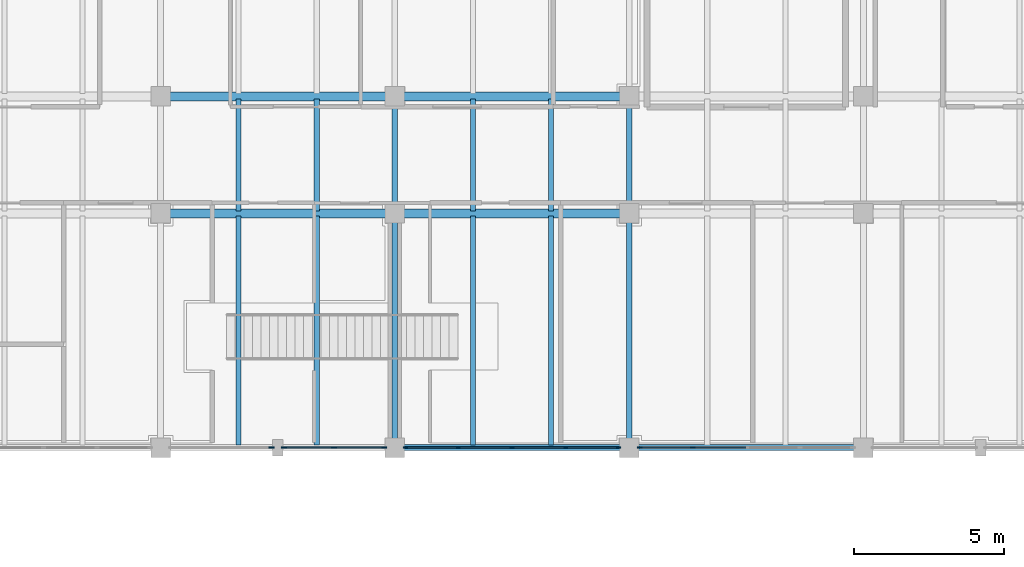
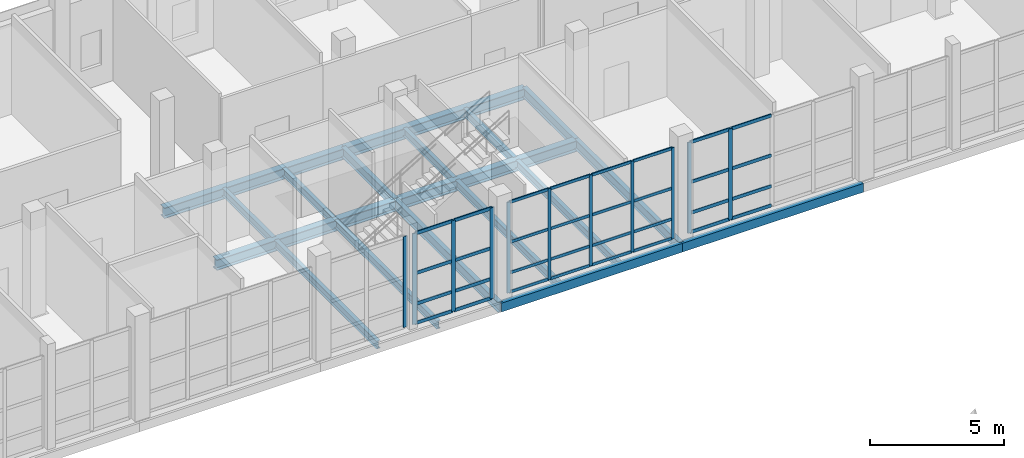
# One storey, part 56 of 131: 43 members, 18 beams, 4 elements without a shape of their own.
"""IFC4 building model written with IfcOpenShell, lengths in metres."""

from ifc_helpers import new_model, si_unit, direction, frame, origin, origin_2d, place, context, subcontext, project, spatial, rectangle, hollow_rectangle, i_section, extrude, material, layer, layer_set, material_profile, profile_set, type_object, element, aggregate, save


model = new_model("IFC4")

# Units and contexts
model_context = context("Model", 3, precision=1e-05, world=origin(), true_north=direction((0.0, 1.0)))
body_context = subcontext(model_context, "Body", "Model", "MODEL_VIEW")
ifc_project = project(units=[si_unit("LENGTHUNIT", "METRE"), si_unit("AREAUNIT", "SQUARE_METRE"), si_unit("VOLUMEUNIT", "CUBIC_METRE"), si_unit("PLANEANGLEUNIT", "RADIAN"), si_unit("MASSUNIT", "GRAM", prefix="KILO")], contexts=[model_context])

# Site, building, storey
site_placement = place(None, origin())
site = spatial("IfcSite", under=ifc_project, at=site_placement, CompositionType="ELEMENT")
building_placement = place(site_placement, origin())
building = spatial("IfcBuilding", under=site, at=building_placement, Name="Celorna Specialist Clinic", CompositionType="ELEMENT")
storey_placement = place(building_placement, origin())
storey = spatial("IfcBuildingStorey", under=building, at=storey_placement, Name="L00", CompositionType="ELEMENT", Elevation=0.0)

# Beams
ifc_material_1 = material(Name="Steel S355", Category="steel")
ifc_material_profile_1 = material_profile(ifc_material_1, i_section(OverallWidth=0.18994140625, OverallDepth=0.449951171875, WebThickness=0.009521484375, FlangeThickness=0.0146484375, at=origin_2d()), Name="IPE 450")
ifc_profile_set_1 = profile_set([ifc_material_profile_1], Name="Steel S355")
beam_type_1 = type_object("IfcBeamType", Name="BM-09", PredefinedType="BEAM", material=ifc_profile_set_1)
beam_1_placement = place(storey_placement, frame((101.39990234375, 96.5, -0.52490234375), z_axis=(0.0, 1.0, 0.0), x_axis=(-1.0, 0.0, 0.0)))
element("IfcBeam", 1, at=beam_1_placement, inside=storey, type_object=beam_type_1, Name="Transverse girder BM-09 #751", PredefinedType="BEAM", context=body_context, shape_type="SweptSolid", body=[
    extrude(i_section(OverallWidth=0.18994140625, OverallDepth=0.449951171875, WebThickness=0.009521484375, FlangeThickness=0.0146484375, at=origin_2d()), origin(), (0.0, 0.0, 1.0), 7.800048828125),
])
beam_2_placement = place(storey_placement, frame((101.39990234375, 104.300048828125, -0.52490234375), z_axis=(0.0, 1.0, 0.0), x_axis=(-1.0, 0.0, 0.0)))
element("IfcBeam", 2, at=beam_2_placement, inside=storey, type_object=beam_type_1, Name="Transverse girder BM-09 #752", PredefinedType="BEAM", context=body_context, shape_type="SweptSolid", body=[
    extrude(i_section(OverallWidth=0.18994140625, OverallDepth=0.449951171875, WebThickness=0.009521484375, FlangeThickness=0.0146484375, at=origin_2d()), origin(), (0.0, 0.0, 1.0), 3.89990234375),
])
beam_3_placement = place(storey_placement, frame((109.199951171875, 96.5, -0.52490234375), z_axis=(0.0, 1.0, 0.0), x_axis=(-1.0, 0.0, 0.0)))
element("IfcBeam", 3, at=beam_3_placement, inside=storey, type_object=beam_type_1, Name="Transverse girder BM-09 #754", PredefinedType="BEAM", context=body_context, shape_type="SweptSolid", body=[
    extrude(i_section(OverallWidth=0.18994140625, OverallDepth=0.449951171875, WebThickness=0.009521484375, FlangeThickness=0.0146484375, at=origin_2d()), origin(), (0.0, 0.0, 1.0), 7.800048828125),
])
beam_4_placement = place(storey_placement, frame((109.199951171875, 104.300048828125, -0.52490234375), z_axis=(0.0, 1.0, 0.0), x_axis=(-1.0, 0.0, 0.0)))
element("IfcBeam", 4, at=beam_4_placement, inside=storey, type_object=beam_type_1, Name="Transverse girder BM-09 #755", PredefinedType="BEAM", context=body_context, shape_type="SweptSolid", body=[
    extrude(i_section(OverallWidth=0.18994140625, OverallDepth=0.449951171875, WebThickness=0.009521484375, FlangeThickness=0.0146484375, at=origin_2d()), origin(), (0.0, 0.0, 1.0), 3.89990234375),
])
ifc_material_profile_2 = material_profile(ifc_material_1, i_section(OverallWidth=0.169921875, OverallDepth=0.360107421875, WebThickness=0.008056640625, FlangeThickness=0.0126953125, at=origin_2d()), Name="IPE 360")
ifc_profile_set_2 = profile_set([ifc_material_profile_2], Name="Steel S355")
beam_type_2 = type_object("IfcBeamType", Name="BM-11", PredefinedType="JOIST", material=ifc_profile_set_2)
for number, where, z_axis, x_axis, name in (
    (5, (96.199951171875, 96.587890625, -0.47998046875), (0.0, 1.0, 0.0), (-1.0, 0.0, 0.0), "Secondary floor joist BM-11 #813"),
    (6, (98.800048828125, 96.587890625, -0.47998046875), (0.0, 1.0, 0.0), (-1.0, 0.0, 0.0), "Secondary floor joist BM-11 #814"),
):
    element("IfcBeam", number, at=place(storey_placement, frame(where, z_axis=z_axis, x_axis=x_axis)), inside=storey, type_object=beam_type_2, Name=name, PredefinedType="JOIST", context=body_context, shape_type="SweptSolid", body=[
        extrude(i_section(OverallWidth=0.169921875, OverallDepth=0.360107421875, WebThickness=0.008056640625, FlangeThickness=0.0126953125, at=origin_2d()), origin(), (0.0, 0.0, 1.0), 7.6240234375),
    ])
for number, where, z_axis, x_axis, name in (
    (7, (96.199951171875, 104.387939453125, -0.47998046875), (0.0, 1.0, 0.0), (-1.0, 0.0, 0.0), "Secondary floor joist BM-11 #815"),
    (8, (98.800048828125, 104.387939453125, -0.47998046875), (0.0, 1.0, 0.0), (-1.0, 0.0, 0.0), "Secondary floor joist BM-11 #816"),
):
    element("IfcBeam", number, at=place(storey_placement, frame(where, z_axis=z_axis, x_axis=x_axis)), inside=storey, type_object=beam_type_2, Name=name, PredefinedType="JOIST", context=body_context, shape_type="SweptSolid", body=[
        extrude(i_section(OverallWidth=0.169921875, OverallDepth=0.360107421875, WebThickness=0.008056640625, FlangeThickness=0.0126953125, at=origin_2d()), origin(), (0.0, 0.0, 1.0), 3.72412109375),
    ])
for number, where, z_axis, x_axis, name in (
    (9, (104.0, 96.587890625, -0.47998046875), (0.0, 1.0, 0.0), (-1.0, 0.0, 0.0), "Secondary floor joist BM-11 #819"),
    (10, (106.60009765625, 96.587890625, -0.47998046875), (0.0, 1.0, 0.0), (-1.0, 0.0, 0.0), "Secondary floor joist BM-11 #820"),
):
    element("IfcBeam", number, at=place(storey_placement, frame(where, z_axis=z_axis, x_axis=x_axis)), inside=storey, type_object=beam_type_2, Name=name, PredefinedType="JOIST", context=body_context, shape_type="SweptSolid", body=[
        extrude(i_section(OverallWidth=0.169921875, OverallDepth=0.360107421875, WebThickness=0.008056640625, FlangeThickness=0.0126953125, at=origin_2d()), origin(), (0.0, 0.0, 1.0), 7.6240234375),
    ])
for number, where, z_axis, x_axis, name in (
    (11, (104.0, 104.387939453125, -0.47998046875), (0.0, 1.0, 0.0), (-1.0, 0.0, 0.0), "Secondary floor joist BM-11 #821"),
    (12, (106.60009765625, 104.387939453125, -0.47998046875), (0.0, 1.0, 0.0), (-1.0, 0.0, 0.0), "Secondary floor joist BM-11 #822"),
):
    element("IfcBeam", number, at=place(storey_placement, frame(where, z_axis=z_axis, x_axis=x_axis)), inside=storey, type_object=beam_type_2, Name=name, PredefinedType="JOIST", context=body_context, shape_type="SweptSolid", body=[
        extrude(i_section(OverallWidth=0.169921875, OverallDepth=0.360107421875, WebThickness=0.008056640625, FlangeThickness=0.0126953125, at=origin_2d()), origin(), (0.0, 0.0, 1.0), 3.72412109375),
    ])
ifc_material_profile_3 = material_profile(ifc_material_1, hollow_rectangle(XDim=0.199951171875, YDim=0.39990234375, WallThickness=0.011962890625, at=origin_2d()), Name="RHS 200x400x12")
ifc_profile_set_3 = profile_set([ifc_material_profile_3], Name="Steel S355")
beam_type_3 = type_object("IfcBeamType", Name="BM-15", PredefinedType="SPANDREL", material=ifc_profile_set_3)
for number, where, z_axis, x_axis, name in (
    (13, (101.39990234375, 96.5, -0.5), (1.0, 0.0, 0.0), (0.0, 1.0, 0.0), "Spandrel beam BM-15 #673"),
    (14, (109.199951171875, 96.5, -0.5), (1.0, 0.0, 0.0), (0.0, 1.0, 0.0), "Spandrel beam BM-15 #674"),
):
    element("IfcBeam", number, at=place(storey_placement, frame(where, z_axis=z_axis, x_axis=x_axis)), inside=storey, type_object=beam_type_3, Name=name, PredefinedType="SPANDREL", context=body_context, shape_type="SweptSolid", body=[
        extrude(hollow_rectangle(XDim=0.199951171875, YDim=0.39990234375, WallThickness=0.011962890625, at=origin_2d()), origin(), (0.0, 0.0, 1.0), 7.800048828125),
    ])
ifc_material_profile_4 = material_profile(ifc_material_1, i_section(OverallWidth=0.300048828125, OverallDepth=0.489990234375, WebThickness=0.011962890625, FlangeThickness=0.02294921875, at=origin_2d()), Name="HE 500 A")
ifc_profile_set_4 = profile_set([ifc_material_profile_4], Name="Steel S355")
beam_type_4 = type_object("IfcBeamType", Name="BM-22", PredefinedType="BEAM", material=ifc_profile_set_4)
beam_5_placement = place(storey_placement, frame((93.60009765625, 104.300048828125, -0.544921875), z_axis=(1.0, 0.0, 0.0), x_axis=(0.0, 1.0, 0.0)))
element("IfcBeam", 15, at=beam_5_placement, inside=storey, type_object=beam_type_4, Name="Primary girder BM-22 #688", PredefinedType="BEAM", context=body_context, shape_type="SweptSolid", body=[
    extrude(i_section(OverallWidth=0.300048828125, OverallDepth=0.489990234375, WebThickness=0.011962890625, FlangeThickness=0.02294921875, at=origin_2d()), origin(), (0.0, 0.0, 1.0), 7.7998046875),
])
beam_6_placement = place(storey_placement, frame((101.39990234375, 104.300048828125, -0.544921875), z_axis=(1.0, 0.0, 0.0), x_axis=(0.0, 1.0, 0.0)))
element("IfcBeam", 16, at=beam_6_placement, inside=storey, type_object=beam_type_4, Name="Primary girder BM-22 #689", PredefinedType="BEAM", context=body_context, shape_type="SweptSolid", body=[
    extrude(i_section(OverallWidth=0.300048828125, OverallDepth=0.489990234375, WebThickness=0.011962890625, FlangeThickness=0.02294921875, at=origin_2d()), origin(), (0.0, 0.0, 1.0), 7.800048828125),
])
beam_7_placement = place(storey_placement, frame((93.60009765625, 108.199951171875, -0.544921875), z_axis=(1.0, 0.0, 0.0), x_axis=(0.0, 1.0, 0.0)))
element("IfcBeam", 17, at=beam_7_placement, inside=storey, type_object=beam_type_4, Name="Primary girder BM-22 #704", PredefinedType="BEAM", context=body_context, shape_type="SweptSolid", body=[
    extrude(i_section(OverallWidth=0.300048828125, OverallDepth=0.489990234375, WebThickness=0.011962890625, FlangeThickness=0.02294921875, at=origin_2d()), origin(), (0.0, 0.0, 1.0), 7.7998046875),
])
beam_8_placement = place(storey_placement, frame((101.39990234375, 108.199951171875, -0.544921875), z_axis=(1.0, 0.0, 0.0), x_axis=(0.0, 1.0, 0.0)))
element("IfcBeam", 18, at=beam_8_placement, inside=storey, type_object=beam_type_4, Name="Primary girder BM-22 #705", PredefinedType="BEAM", context=body_context, shape_type="SweptSolid", body=[
    extrude(i_section(OverallWidth=0.300048828125, OverallDepth=0.489990234375, WebThickness=0.011962890625, FlangeThickness=0.02294921875, at=origin_2d()), origin(), (0.0, 0.0, 1.0), 7.800048828125),
])

# Curtain wall, members
ifc_material_2 = material(Name="Thermally broken aluminium and solar-control glass curtain wall", Category="aluminium")
ifc_layer_1 = layer(ifc_material_2, 0.159912109375, Name="Thermally broken aluminium and solar-control glass curtain wall")
ifc_layer_set_1 = layer_set([ifc_layer_1], Name="Thermally broken aluminium and solar-control glass curtain wall")
curtain_wall_type_1 = type_object("IfcCurtainWallType", Name="CW-48", PredefinedType="NOTDEFINED", material=ifc_layer_set_1)
curtain_wall_1_placement = place(storey_placement, origin())
curtain_wall_1 = element("IfcCurtainWall", 19, at=curtain_wall_1_placement, inside=storey, type_object=curtain_wall_type_1, Name="Curtain wall CW-48 #96", PredefinedType="NOTDEFINED")
ifc_material_3 = material(Name="Anodized aluminium mullion", Category="aluminium")
ifc_material_profile_5 = material_profile(ifc_material_3, rectangle(XDim=0.050048828125, YDim=0.159912109375, at=origin_2d()), Name="ALU MULLION 50x160")
ifc_profile_set_5 = profile_set([ifc_material_profile_5], Name="Anodized aluminium mullion")
member_type_1 = type_object("IfcMemberType", Name="ML-01", PredefinedType="MULLION", material=ifc_profile_set_5)
member_1_placement = place(storey_placement, frame((111.314453125, 96.5, 0.0), z_axis=(0.0, 0.0, 1.0), x_axis=(0.0, -1.0, 0.0)))
member_1 = element("IfcMember", 20, at=member_1_placement, type_object=member_type_1, Name="CW-48 mullion 4", PredefinedType="MULLION", context=body_context, shape_type="SweptSolid", body=[
    extrude(rectangle(XDim=0.050048828125, YDim=0.159912109375, at=origin_2d()), origin(), (0.0, 0.0, 1.0), 4.139892578125),
])
member_2_placement = place(storey_placement, frame((109.553955078125, 96.5, 0.0), z_axis=(0.0, 0.0, 1.0), x_axis=(0.0, -1.0, 0.0)))
member_2 = element("IfcMember", 21, at=member_2_placement, type_object=member_type_1, Name="CW-48 mullion 5", PredefinedType="MULLION", context=body_context, shape_type="SweptSolid", body=[
    extrude(rectangle(XDim=0.050048828125, YDim=0.159912109375, at=origin_2d()), origin(), (0.0, 0.0, 1.0), 4.139892578125),
])

ifc_layer_2 = layer(ifc_material_2, 0.159912109375, Name="Thermally broken aluminium and solar-control glass curtain wall")
ifc_layer_set_2 = layer_set([ifc_layer_2], Name="Thermally broken aluminium and solar-control glass curtain wall")
curtain_wall_type_2 = type_object("IfcCurtainWallType", Name="CW-46", PredefinedType="NOTDEFINED", material=ifc_layer_set_2)
curtain_wall_2_placement = place(storey_placement, origin())
curtain_wall_2 = element("IfcCurtainWall", 22, at=curtain_wall_2_placement, inside=storey, type_object=curtain_wall_type_2, Name="Curtain wall CW-46 #93", PredefinedType="NOTDEFINED")
ifc_material_profile_6 = material_profile(ifc_material_3, rectangle(XDim=0.050048828125, YDim=0.179931640625, at=origin_2d()), Name="ALU MULLION 50x180")
ifc_profile_set_6 = profile_set([ifc_material_profile_6], Name="Anodized aluminium mullion")
member_type_2 = type_object("IfcMemberType", Name="ML-02", PredefinedType="MULLION", material=ifc_profile_set_6)
member_3_placement = place(storey_placement, frame((101.0458984375, 96.5, 0.0), z_axis=(0.0, 0.0, 1.0), x_axis=(0.0, -1.0, 0.0)))
member_3 = element("IfcMember", 23, at=member_3_placement, type_object=member_type_2, Name="CW-46 mullion 1", PredefinedType="MULLION", context=body_context, shape_type="SweptSolid", body=[
    extrude(rectangle(XDim=0.050048828125, YDim=0.179931640625, at=origin_2d()), origin(), (0.0, 0.0, 1.0), 4.139892578125),
])
member_4_placement = place(storey_placement, frame((99.375, 96.5, 0.0), z_axis=(0.0, 0.0, 1.0), x_axis=(0.0, -1.0, 0.0)))
member_4 = element("IfcMember", 24, at=member_4_placement, type_object=member_type_2, Name="CW-46 mullion 2", PredefinedType="MULLION", context=body_context, shape_type="SweptSolid", body=[
    extrude(rectangle(XDim=0.050048828125, YDim=0.179931640625, at=origin_2d()), origin(), (0.0, 0.0, 1.0), 4.139892578125),
])
member_5_placement = place(storey_placement, frame((97.7041015625, 96.5, 0.0), z_axis=(0.0, 0.0, 1.0), x_axis=(0.0, -1.0, 0.0)))
member_5 = element("IfcMember", 25, at=member_5_placement, type_object=member_type_2, Name="CW-46 mullion 3", PredefinedType="MULLION", context=body_context, shape_type="SweptSolid", body=[
    extrude(rectangle(XDim=0.050048828125, YDim=0.179931640625, at=origin_2d()), origin(), (0.0, 0.0, 1.0), 4.139892578125),
])

# Curtain wall, member
curtain_wall_3_placement = place(storey_placement, origin())
curtain_wall_3 = element("IfcCurtainWall", 26, at=curtain_wall_3_placement, inside=storey, type_object=curtain_wall_type_2, Name="Curtain wall CW-46 #94", PredefinedType="NOTDEFINED")
member_6_placement = place(storey_placement, frame((97.2958984375, 96.5, 0.0), z_axis=(0.0, 0.0, 1.0), x_axis=(0.0, -1.0, 0.0)))
member_6 = element("IfcMember", 27, at=member_6_placement, type_object=member_type_2, Name="CW-46 mullion 1", PredefinedType="MULLION", context=body_context, shape_type="SweptSolid", body=[
    extrude(rectangle(XDim=0.050048828125, YDim=0.179931640625, at=origin_2d()), origin(), (0.0, 0.0, 1.0), 4.139892578125),
])
aggregate(curtain_wall_3, [member_6])

# Curtain wall, members
ifc_layer_3 = layer(ifc_material_2, 0.159912109375, Name="Thermally broken aluminium and solar-control glass curtain wall")
ifc_layer_set_3 = layer_set([ifc_layer_3], Name="Thermally broken aluminium and solar-control glass curtain wall")
curtain_wall_type_3 = type_object("IfcCurtainWallType", Name="CW-47", PredefinedType="NOTDEFINED", material=ifc_layer_set_3)
curtain_wall_4_placement = place(storey_placement, origin())
curtain_wall_4 = element("IfcCurtainWall", 28, at=curtain_wall_4_placement, inside=storey, type_object=curtain_wall_type_3, Name="Curtain wall CW-47 #95", PredefinedType="NOTDEFINED")
ifc_material_profile_7 = material_profile(ifc_material_3, rectangle(XDim=0.050048828125, YDim=0.139892578125, at=origin_2d()), Name="ALU MULLION 50x140")
ifc_profile_set_7 = profile_set([ifc_material_profile_7], Name="Anodized aluminium mullion")
member_type_3 = type_object("IfcMemberType", Name="ML-03", PredefinedType="MULLION", material=ifc_profile_set_7)
member_7_placement = place(storey_placement, frame((108.845947265625, 96.5, 0.0), z_axis=(0.0, 0.0, 1.0), x_axis=(0.0, -1.0, 0.0)))
member_7 = element("IfcMember", 29, at=member_7_placement, type_object=member_type_3, Name="CW-47 mullion 1", PredefinedType="MULLION", context=body_context, shape_type="SweptSolid", body=[
    extrude(rectangle(XDim=0.050048828125, YDim=0.139892578125, at=origin_2d()), origin(), (0.0, 0.0, 1.0), 4.139892578125),
])
member_8_placement = place(storey_placement, frame((107.08544921875, 96.5, 0.0), z_axis=(0.0, 0.0, 1.0), x_axis=(0.0, -1.0, 0.0)))
member_8 = element("IfcMember", 30, at=member_8_placement, type_object=member_type_3, Name="CW-47 mullion 2", PredefinedType="MULLION", context=body_context, shape_type="SweptSolid", body=[
    extrude(rectangle(XDim=0.050048828125, YDim=0.139892578125, at=origin_2d()), origin(), (0.0, 0.0, 1.0), 4.139892578125),
])
member_9_placement = place(storey_placement, frame((105.300048828125, 96.5, 0.0), z_axis=(0.0, 0.0, 1.0), x_axis=(0.0, -1.0, 0.0)))
member_9 = element("IfcMember", 31, at=member_9_placement, type_object=member_type_3, Name="CW-47 mullion 3", PredefinedType="MULLION", context=body_context, shape_type="SweptSolid", body=[
    extrude(rectangle(XDim=0.050048828125, YDim=0.139892578125, at=origin_2d()), origin(), (0.0, 0.0, 1.0), 4.139892578125),
])
member_10_placement = place(storey_placement, frame((103.514404296875, 96.5, 0.0), z_axis=(0.0, 0.0, 1.0), x_axis=(0.0, -1.0, 0.0)))
member_10 = element("IfcMember", 32, at=member_10_placement, type_object=member_type_3, Name="CW-47 mullion 4", PredefinedType="MULLION", context=body_context, shape_type="SweptSolid", body=[
    extrude(rectangle(XDim=0.050048828125, YDim=0.139892578125, at=origin_2d()), origin(), (0.0, 0.0, 1.0), 4.139892578125),
])
member_11_placement = place(storey_placement, frame((101.75390625, 96.5, 0.0), z_axis=(0.0, 0.0, 1.0), x_axis=(0.0, -1.0, 0.0)))
member_11 = element("IfcMember", 33, at=member_11_placement, type_object=member_type_3, Name="CW-47 mullion 5", PredefinedType="MULLION", context=body_context, shape_type="SweptSolid", body=[
    extrude(rectangle(XDim=0.050048828125, YDim=0.139892578125, at=origin_2d()), origin(), (0.0, 0.0, 1.0), 4.139892578125),
])
ifc_material_4 = material(Name="Anodized aluminium transom", Category="aluminium")
ifc_material_profile_8 = material_profile(ifc_material_4, rectangle(XDim=0.050048828125, YDim=0.1298828125, at=origin_2d()), Name="ALU TRANSOM 50x130")
ifc_profile_set_8 = profile_set([ifc_material_profile_8], Name="Anodized aluminium transom")
member_type_4 = type_object("IfcMemberType", Name="TR-01", PredefinedType="USERDEFINED", material=ifc_profile_set_8)
member_12_placement = place(storey_placement, frame((108.821044921875, 96.5, 0.02490234375), z_axis=(-1.0, 0.0, 0.0), x_axis=(0.0, -1.0, 0.0)))
member_12 = element("IfcMember", 34, at=member_12_placement, type_object=member_type_4, Name="CW-47 transom 1.1", ObjectType="TRANSOM", PredefinedType="USERDEFINED", context=body_context, shape_type="SweptSolid", body=[
    extrude(rectangle(XDim=0.050048828125, YDim=0.1298828125, at=origin_2d()), origin(), (0.0, 0.0, 1.0), 1.71044921875),
])
member_13_placement = place(storey_placement, frame((108.821044921875, 96.5, 0.89990234375), z_axis=(-1.0, 0.0, 0.0), x_axis=(0.0, -1.0, 0.0)))
member_13 = element("IfcMember", 35, at=member_13_placement, type_object=member_type_4, Name="CW-47 transom 1.2", ObjectType="TRANSOM", PredefinedType="USERDEFINED", context=body_context, shape_type="SweptSolid", body=[
    extrude(rectangle(XDim=0.050048828125, YDim=0.1298828125, at=origin_2d()), origin(), (0.0, 0.0, 1.0), 1.71044921875),
])
member_14_placement = place(storey_placement, frame((108.821044921875, 96.5, 2.300048828125), z_axis=(-1.0, 0.0, 0.0), x_axis=(0.0, -1.0, 0.0)))
member_14 = element("IfcMember", 36, at=member_14_placement, type_object=member_type_4, Name="CW-47 transom 1.3", ObjectType="TRANSOM", PredefinedType="USERDEFINED", context=body_context, shape_type="SweptSolid", body=[
    extrude(rectangle(XDim=0.050048828125, YDim=0.1298828125, at=origin_2d()), origin(), (0.0, 0.0, 1.0), 1.71044921875),
])
member_15_placement = place(storey_placement, frame((108.821044921875, 96.5, 4.114990234375), z_axis=(-1.0, 0.0, 0.0), x_axis=(0.0, -1.0, 0.0)))
member_15 = element("IfcMember", 37, at=member_15_placement, type_object=member_type_4, Name="CW-47 transom 1.4", ObjectType="TRANSOM", PredefinedType="USERDEFINED", context=body_context, shape_type="SweptSolid", body=[
    extrude(rectangle(XDim=0.050048828125, YDim=0.1298828125, at=origin_2d()), origin(), (0.0, 0.0, 1.0), 1.71044921875),
])
member_16_placement = place(storey_placement, frame((107.060546875, 96.5, 0.02490234375), z_axis=(-1.0, 0.0, 0.0), x_axis=(0.0, -1.0, 0.0)))
member_16 = element("IfcMember", 38, at=member_16_placement, type_object=member_type_4, Name="CW-47 transom 2.1", ObjectType="TRANSOM", PredefinedType="USERDEFINED", context=body_context, shape_type="SweptSolid", body=[
    extrude(rectangle(XDim=0.050048828125, YDim=0.1298828125, at=origin_2d()), origin(), (0.0, 0.0, 1.0), 1.735595703125),
])
member_17_placement = place(storey_placement, frame((107.060546875, 96.5, 0.89990234375), z_axis=(-1.0, 0.0, 0.0), x_axis=(0.0, -1.0, 0.0)))
member_17 = element("IfcMember", 39, at=member_17_placement, type_object=member_type_4, Name="CW-47 transom 2.2", ObjectType="TRANSOM", PredefinedType="USERDEFINED", context=body_context, shape_type="SweptSolid", body=[
    extrude(rectangle(XDim=0.050048828125, YDim=0.1298828125, at=origin_2d()), origin(), (0.0, 0.0, 1.0), 1.735595703125),
])
member_18_placement = place(storey_placement, frame((107.060546875, 96.5, 2.300048828125), z_axis=(-1.0, 0.0, 0.0), x_axis=(0.0, -1.0, 0.0)))
member_18 = element("IfcMember", 40, at=member_18_placement, type_object=member_type_4, Name="CW-47 transom 2.3", ObjectType="TRANSOM", PredefinedType="USERDEFINED", context=body_context, shape_type="SweptSolid", body=[
    extrude(rectangle(XDim=0.050048828125, YDim=0.1298828125, at=origin_2d()), origin(), (0.0, 0.0, 1.0), 1.735595703125),
])
member_19_placement = place(storey_placement, frame((107.060546875, 96.5, 4.114990234375), z_axis=(-1.0, 0.0, 0.0), x_axis=(0.0, -1.0, 0.0)))
member_19 = element("IfcMember", 41, at=member_19_placement, type_object=member_type_4, Name="CW-47 transom 2.4", ObjectType="TRANSOM", PredefinedType="USERDEFINED", context=body_context, shape_type="SweptSolid", body=[
    extrude(rectangle(XDim=0.050048828125, YDim=0.1298828125, at=origin_2d()), origin(), (0.0, 0.0, 1.0), 1.735595703125),
])
member_20_placement = place(storey_placement, frame((105.27490234375, 96.5, 0.02490234375), z_axis=(-1.0, 0.0, 0.0), x_axis=(0.0, -1.0, 0.0)))
member_20 = element("IfcMember", 42, at=member_20_placement, type_object=member_type_4, Name="CW-47 transom 3.1", ObjectType="TRANSOM", PredefinedType="USERDEFINED", context=body_context, shape_type="SweptSolid", body=[
    extrude(rectangle(XDim=0.050048828125, YDim=0.1298828125, at=origin_2d()), origin(), (0.0, 0.0, 1.0), 1.7353515625),
])
member_21_placement = place(storey_placement, frame((105.27490234375, 96.5, 0.89990234375), z_axis=(-1.0, 0.0, 0.0), x_axis=(0.0, -1.0, 0.0)))
member_21 = element("IfcMember", 43, at=member_21_placement, type_object=member_type_4, Name="CW-47 transom 3.2", ObjectType="TRANSOM", PredefinedType="USERDEFINED", context=body_context, shape_type="SweptSolid", body=[
    extrude(rectangle(XDim=0.050048828125, YDim=0.1298828125, at=origin_2d()), origin(), (0.0, 0.0, 1.0), 1.7353515625),
])
member_22_placement = place(storey_placement, frame((105.27490234375, 96.5, 2.300048828125), z_axis=(-1.0, 0.0, 0.0), x_axis=(0.0, -1.0, 0.0)))
member_22 = element("IfcMember", 44, at=member_22_placement, type_object=member_type_4, Name="CW-47 transom 3.3", ObjectType="TRANSOM", PredefinedType="USERDEFINED", context=body_context, shape_type="SweptSolid", body=[
    extrude(rectangle(XDim=0.050048828125, YDim=0.1298828125, at=origin_2d()), origin(), (0.0, 0.0, 1.0), 1.7353515625),
])
member_23_placement = place(storey_placement, frame((105.27490234375, 96.5, 4.114990234375), z_axis=(-1.0, 0.0, 0.0), x_axis=(0.0, -1.0, 0.0)))
member_23 = element("IfcMember", 45, at=member_23_placement, type_object=member_type_4, Name="CW-47 transom 3.4", ObjectType="TRANSOM", PredefinedType="USERDEFINED", context=body_context, shape_type="SweptSolid", body=[
    extrude(rectangle(XDim=0.050048828125, YDim=0.1298828125, at=origin_2d()), origin(), (0.0, 0.0, 1.0), 1.7353515625),
])
member_24_placement = place(storey_placement, frame((103.489501953125, 96.5, 0.02490234375), z_axis=(-1.0, 0.0, 0.0), x_axis=(0.0, -1.0, 0.0)))
member_24 = element("IfcMember", 46, at=member_24_placement, type_object=member_type_4, Name="CW-47 transom 4.1", ObjectType="TRANSOM", PredefinedType="USERDEFINED", context=body_context, shape_type="SweptSolid", body=[
    extrude(rectangle(XDim=0.050048828125, YDim=0.1298828125, at=origin_2d()), origin(), (0.0, 0.0, 1.0), 1.71044921875),
])
member_25_placement = place(storey_placement, frame((103.489501953125, 96.5, 0.89990234375), z_axis=(-1.0, 0.0, 0.0), x_axis=(0.0, -1.0, 0.0)))
member_25 = element("IfcMember", 47, at=member_25_placement, type_object=member_type_4, Name="CW-47 transom 4.2", ObjectType="TRANSOM", PredefinedType="USERDEFINED", context=body_context, shape_type="SweptSolid", body=[
    extrude(rectangle(XDim=0.050048828125, YDim=0.1298828125, at=origin_2d()), origin(), (0.0, 0.0, 1.0), 1.71044921875),
])
member_26_placement = place(storey_placement, frame((103.489501953125, 96.5, 2.300048828125), z_axis=(-1.0, 0.0, 0.0), x_axis=(0.0, -1.0, 0.0)))
member_26 = element("IfcMember", 48, at=member_26_placement, type_object=member_type_4, Name="CW-47 transom 4.3", ObjectType="TRANSOM", PredefinedType="USERDEFINED", context=body_context, shape_type="SweptSolid", body=[
    extrude(rectangle(XDim=0.050048828125, YDim=0.1298828125, at=origin_2d()), origin(), (0.0, 0.0, 1.0), 1.71044921875),
])
member_27_placement = place(storey_placement, frame((103.489501953125, 96.5, 4.114990234375), z_axis=(-1.0, 0.0, 0.0), x_axis=(0.0, -1.0, 0.0)))
member_27 = element("IfcMember", 49, at=member_27_placement, type_object=member_type_4, Name="CW-47 transom 4.4", ObjectType="TRANSOM", PredefinedType="USERDEFINED", context=body_context, shape_type="SweptSolid", body=[
    extrude(rectangle(XDim=0.050048828125, YDim=0.1298828125, at=origin_2d()), origin(), (0.0, 0.0, 1.0), 1.71044921875),
])
aggregate(curtain_wall_4, [member_7, member_8, member_9, member_10, member_11, member_12, member_13, member_14, member_15, member_16, member_17, member_18, member_19, member_20, member_21, member_22, member_23, member_24, member_25, member_26, member_27])

# Member
ifc_material_profile_9 = material_profile(ifc_material_4, rectangle(XDim=0.050048828125, YDim=0.14990234375, at=origin_2d()), Name="ALU TRANSOM 50x150")
ifc_profile_set_9 = profile_set([ifc_material_profile_9], Name="Anodized aluminium transom")
member_type_5 = type_object("IfcMemberType", Name="TR-02", PredefinedType="USERDEFINED", material=ifc_profile_set_9)
member_28_placement = place(storey_placement, frame((101.02099609375, 96.5, 0.02490234375), z_axis=(-1.0, 0.0, 0.0), x_axis=(0.0, -1.0, 0.0)))
member_28 = element("IfcMember", 50, at=member_28_placement, type_object=member_type_5, Name="CW-46 transom 1.1", ObjectType="TRANSOM", PredefinedType="USERDEFINED", context=body_context, shape_type="SweptSolid", body=[
    extrude(rectangle(XDim=0.050048828125, YDim=0.14990234375, at=origin_2d()), origin(), (0.0, 0.0, 1.0), 1.62109375),
])

member_29_placement = place(storey_placement, frame((101.02099609375, 96.5, 0.89990234375), z_axis=(-1.0, 0.0, 0.0), x_axis=(0.0, -1.0, 0.0)))
member_29 = element("IfcMember", 51, at=member_29_placement, type_object=member_type_5, Name="CW-46 transom 1.2", ObjectType="TRANSOM", PredefinedType="USERDEFINED", context=body_context, shape_type="SweptSolid", body=[
    extrude(rectangle(XDim=0.050048828125, YDim=0.14990234375, at=origin_2d()), origin(), (0.0, 0.0, 1.0), 1.62109375),
])

member_30_placement = place(storey_placement, frame((101.02099609375, 96.5, 2.300048828125), z_axis=(-1.0, 0.0, 0.0), x_axis=(0.0, -1.0, 0.0)))
member_30 = element("IfcMember", 52, at=member_30_placement, type_object=member_type_5, Name="CW-46 transom 1.3", ObjectType="TRANSOM", PredefinedType="USERDEFINED", context=body_context, shape_type="SweptSolid", body=[
    extrude(rectangle(XDim=0.050048828125, YDim=0.14990234375, at=origin_2d()), origin(), (0.0, 0.0, 1.0), 1.62109375),
])

member_31_placement = place(storey_placement, frame((101.02099609375, 96.5, 4.114990234375), z_axis=(-1.0, 0.0, 0.0), x_axis=(0.0, -1.0, 0.0)))
member_31 = element("IfcMember", 53, at=member_31_placement, type_object=member_type_5, Name="CW-46 transom 1.4", ObjectType="TRANSOM", PredefinedType="USERDEFINED", context=body_context, shape_type="SweptSolid", body=[
    extrude(rectangle(XDim=0.050048828125, YDim=0.14990234375, at=origin_2d()), origin(), (0.0, 0.0, 1.0), 1.62109375),
])

member_32_placement = place(storey_placement, frame((99.35009765625, 96.5, 0.02490234375), z_axis=(-1.0, 0.0, 0.0), x_axis=(0.0, -1.0, 0.0)))
member_32 = element("IfcMember", 54, at=member_32_placement, type_object=member_type_5, Name="CW-46 transom 2.1", ObjectType="TRANSOM", PredefinedType="USERDEFINED", context=body_context, shape_type="SweptSolid", body=[
    extrude(rectangle(XDim=0.050048828125, YDim=0.14990234375, at=origin_2d()), origin(), (0.0, 0.0, 1.0), 1.62109375),
])

member_33_placement = place(storey_placement, frame((99.35009765625, 96.5, 0.89990234375), z_axis=(-1.0, 0.0, 0.0), x_axis=(0.0, -1.0, 0.0)))
member_33 = element("IfcMember", 55, at=member_33_placement, type_object=member_type_5, Name="CW-46 transom 2.2", ObjectType="TRANSOM", PredefinedType="USERDEFINED", context=body_context, shape_type="SweptSolid", body=[
    extrude(rectangle(XDim=0.050048828125, YDim=0.14990234375, at=origin_2d()), origin(), (0.0, 0.0, 1.0), 1.62109375),
])

member_34_placement = place(storey_placement, frame((99.35009765625, 96.5, 2.300048828125), z_axis=(-1.0, 0.0, 0.0), x_axis=(0.0, -1.0, 0.0)))
member_34 = element("IfcMember", 56, at=member_34_placement, type_object=member_type_5, Name="CW-46 transom 2.3", ObjectType="TRANSOM", PredefinedType="USERDEFINED", context=body_context, shape_type="SweptSolid", body=[
    extrude(rectangle(XDim=0.050048828125, YDim=0.14990234375, at=origin_2d()), origin(), (0.0, 0.0, 1.0), 1.62109375),
])

member_35_placement = place(storey_placement, frame((99.35009765625, 96.5, 4.114990234375), z_axis=(-1.0, 0.0, 0.0), x_axis=(0.0, -1.0, 0.0)))
member_35 = element("IfcMember", 57, at=member_35_placement, type_object=member_type_5, Name="CW-46 transom 2.4", ObjectType="TRANSOM", PredefinedType="USERDEFINED", context=body_context, shape_type="SweptSolid", body=[
    extrude(rectangle(XDim=0.050048828125, YDim=0.14990234375, at=origin_2d()), origin(), (0.0, 0.0, 1.0), 1.62109375),
])

aggregate(curtain_wall_2, [member_3, member_4, member_5, member_28, member_29, member_30, member_31, member_32, member_33, member_34, member_35])

member_36_placement = place(storey_placement, frame((113.074951171875, 96.5, 0.02490234375), z_axis=(-1.0, 0.0, 0.0), x_axis=(0.0, -1.0, 0.0)))
member_36 = element("IfcMember", 58, at=member_36_placement, type_object=member_type_5, Name="CW-48 transom 3.1", ObjectType="TRANSOM", PredefinedType="USERDEFINED", context=body_context, shape_type="SweptSolid", body=[
    extrude(rectangle(XDim=0.050048828125, YDim=0.14990234375, at=origin_2d()), origin(), (0.0, 0.0, 1.0), 1.7353515625),
])

member_37_placement = place(storey_placement, frame((113.074951171875, 96.5, 0.89990234375), z_axis=(-1.0, 0.0, 0.0), x_axis=(0.0, -1.0, 0.0)))
member_37 = element("IfcMember", 59, at=member_37_placement, type_object=member_type_5, Name="CW-48 transom 3.2", ObjectType="TRANSOM", PredefinedType="USERDEFINED", context=body_context, shape_type="SweptSolid", body=[
    extrude(rectangle(XDim=0.050048828125, YDim=0.14990234375, at=origin_2d()), origin(), (0.0, 0.0, 1.0), 1.7353515625),
])

member_38_placement = place(storey_placement, frame((113.074951171875, 96.5, 2.300048828125), z_axis=(-1.0, 0.0, 0.0), x_axis=(0.0, -1.0, 0.0)))
member_38 = element("IfcMember", 60, at=member_38_placement, type_object=member_type_5, Name="CW-48 transom 3.3", ObjectType="TRANSOM", PredefinedType="USERDEFINED", context=body_context, shape_type="SweptSolid", body=[
    extrude(rectangle(XDim=0.050048828125, YDim=0.14990234375, at=origin_2d()), origin(), (0.0, 0.0, 1.0), 1.7353515625),
])

member_39_placement = place(storey_placement, frame((113.074951171875, 96.5, 4.114990234375), z_axis=(-1.0, 0.0, 0.0), x_axis=(0.0, -1.0, 0.0)))
member_39 = element("IfcMember", 61, at=member_39_placement, type_object=member_type_5, Name="CW-48 transom 3.4", ObjectType="TRANSOM", PredefinedType="USERDEFINED", context=body_context, shape_type="SweptSolid", body=[
    extrude(rectangle(XDim=0.050048828125, YDim=0.14990234375, at=origin_2d()), origin(), (0.0, 0.0, 1.0), 1.7353515625),
])

member_40_placement = place(storey_placement, frame((111.28955078125, 96.5, 0.02490234375), z_axis=(-1.0, 0.0, 0.0), x_axis=(0.0, -1.0, 0.0)))
member_40 = element("IfcMember", 62, at=member_40_placement, type_object=member_type_5, Name="CW-48 transom 4.1", ObjectType="TRANSOM", PredefinedType="USERDEFINED", context=body_context, shape_type="SweptSolid", body=[
    extrude(rectangle(XDim=0.050048828125, YDim=0.14990234375, at=origin_2d()), origin(), (0.0, 0.0, 1.0), 1.71044921875),
])

member_41_placement = place(storey_placement, frame((111.28955078125, 96.5, 0.89990234375), z_axis=(-1.0, 0.0, 0.0), x_axis=(0.0, -1.0, 0.0)))
member_41 = element("IfcMember", 63, at=member_41_placement, type_object=member_type_5, Name="CW-48 transom 4.2", ObjectType="TRANSOM", PredefinedType="USERDEFINED", context=body_context, shape_type="SweptSolid", body=[
    extrude(rectangle(XDim=0.050048828125, YDim=0.14990234375, at=origin_2d()), origin(), (0.0, 0.0, 1.0), 1.71044921875),
])

member_42_placement = place(storey_placement, frame((111.28955078125, 96.5, 2.300048828125), z_axis=(-1.0, 0.0, 0.0), x_axis=(0.0, -1.0, 0.0)))
member_42 = element("IfcMember", 64, at=member_42_placement, type_object=member_type_5, Name="CW-48 transom 4.3", ObjectType="TRANSOM", PredefinedType="USERDEFINED", context=body_context, shape_type="SweptSolid", body=[
    extrude(rectangle(XDim=0.050048828125, YDim=0.14990234375, at=origin_2d()), origin(), (0.0, 0.0, 1.0), 1.71044921875),
])

member_43_placement = place(storey_placement, frame((111.28955078125, 96.5, 4.114990234375), z_axis=(-1.0, 0.0, 0.0), x_axis=(0.0, -1.0, 0.0)))
member_43 = element("IfcMember", 65, at=member_43_placement, type_object=member_type_5, Name="CW-48 transom 4.4", ObjectType="TRANSOM", PredefinedType="USERDEFINED", context=body_context, shape_type="SweptSolid", body=[
    extrude(rectangle(XDim=0.050048828125, YDim=0.14990234375, at=origin_2d()), origin(), (0.0, 0.0, 1.0), 1.71044921875),
])

aggregate(curtain_wall_1, [member_1, member_2, member_36, member_37, member_38, member_39, member_40, member_41, member_42, member_43])

save(model, "model.ifc")
